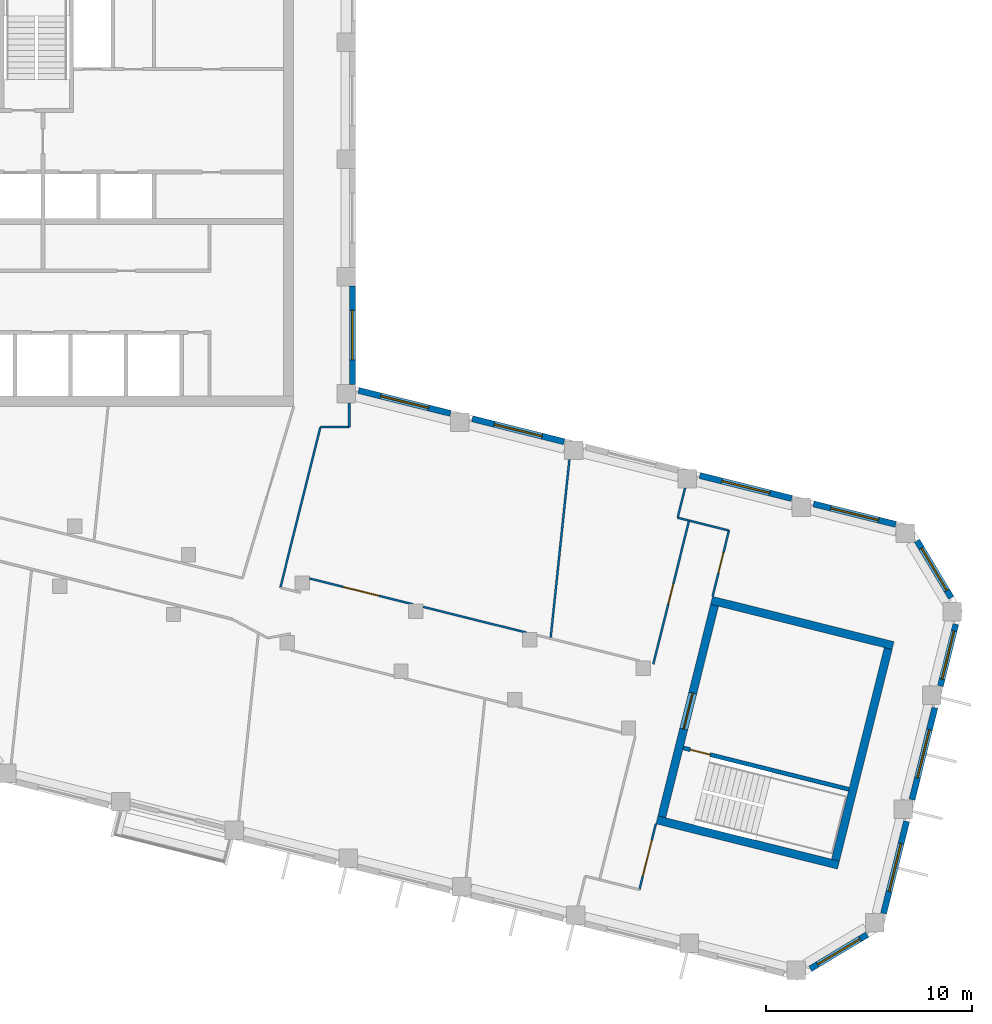
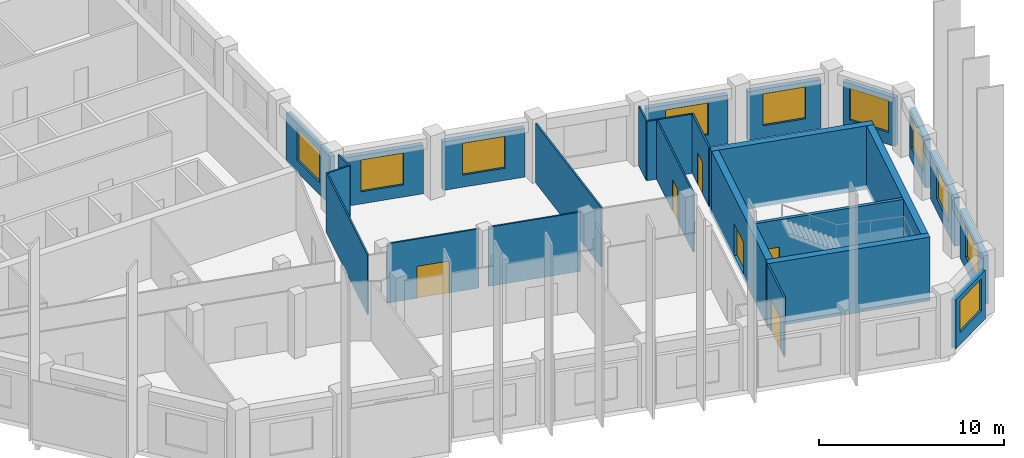
# One storey, part 4 of 8: 27 walls, 10 windows, 6 doors, 16 openings.
"""IFC4 building model written with IfcOpenShell, lengths in metres."""

from ifc_helpers import new_model, si_unit, direction, frame, frame_2d, origin, place, context, subcontext, project, spatial, rectangle, extrude, material, layer, layer_set, type_object, element, fill, save


model = new_model("IFC4")

# Units and contexts
model_context = context("Model", 3, precision=1e-05, world=origin(), true_north=direction((0.0, 1.0)))
body_context = subcontext(model_context, "Body", "Model", "MODEL_VIEW")
ifc_project = project(units=[si_unit("LENGTHUNIT", "METRE"), si_unit("AREAUNIT", "SQUARE_METRE"), si_unit("VOLUMEUNIT", "CUBIC_METRE"), si_unit("PLANEANGLEUNIT", "RADIAN"), si_unit("MASSUNIT", "GRAM", prefix="KILO")], contexts=[model_context])

# Site, building, storey
site_placement = place(None, origin())
site = spatial("IfcSite", under=ifc_project, at=site_placement, CompositionType="ELEMENT")
building_placement = place(site_placement, origin())
building = spatial("IfcBuilding", under=site, at=building_placement, Name="Meshkara Civic Tower", CompositionType="ELEMENT")
storey_placement = place(building_placement, frame((0.0, 0.0, 387.60009765625)))
storey = spatial("IfcBuildingStorey", under=building, at=storey_placement, Name="L89", CompositionType="ELEMENT", Elevation=387.60009765625)

# Walls
ifc_material_1 = material(Name="Corridor wall 100")
ifc_layer_1 = layer(ifc_material_1, 0.10009765625)
ifc_layer_set_1 = layer_set([ifc_layer_1], Name="Corridor wall 100")
wall_type_1 = type_object("IfcWallType", Name="Corridor wall 100", PredefinedType="PARTITIONING", material=ifc_layer_set_1)
wall_1_placement = place(storey_placement, frame((30.14892578125, 5.2890625, 0.0), z_axis=(0.0, 0.0, 1.0), x_axis=(0.241978995789, 0.970281487815, 0.0)))
element("IfcWall", 1, at=wall_1_placement, inside=storey, type_object=wall_type_1, Name="L89-W020", PredefinedType="PARTITIONING", context=body_context, shape_type="SweptSolid", body=[
    extrude(rectangle(XDim=8.05029296875, YDim=0.10009765625, at=frame_2d((4.025146484375, 0.0))), origin(), (0.0, 0.0, 1.0), 3.89990234375),
])
wall_2_placement = place(storey_placement, frame((32.096923828125, 13.10009765625, 0.0), z_axis=(0.0, 0.0, 1.0), x_axis=(1.0, 0.0, 0.0)))
element("IfcWall", 2, at=wall_2_placement, inside=storey, type_object=wall_type_1, Name="L89-W025", PredefinedType="PARTITIONING", context=body_context, shape_type="SweptSolid", body=[
    extrude(rectangle(XDim=1.403076171875, YDim=0.10009765625, at=frame_2d((0.70166015625, 0.0))), origin(), (0.0, 0.0, 1.0), 3.89990234375),
])
wall_3_placement = place(storey_placement, frame((33.5, 13.10009765625, 0.0), z_axis=(0.0, 0.0, 1.0), x_axis=(0.0, 1.0, 0.0)))
element("IfcWall", 3, at=wall_3_placement, inside=storey, type_object=wall_type_1, Name="L89-W026", PredefinedType="PARTITIONING", context=body_context, shape_type="SweptSolid", body=[
    extrude(rectangle(XDim=1.1689453125, YDim=0.10009765625, at=frame_2d((0.58447265625, 0.0))), origin(), (0.0, 0.0, 1.0), 3.89990234375),
])

# Wall, opening, door
wall_4_placement = place(storey_placement, frame((36.577880859375, 4.48388671875, 0.0), z_axis=(0.0, 0.0, 1.0), x_axis=(-0.97027844575, 0.241991193463, 0.0)))
wall_4 = element("IfcWall", 4, at=wall_4_placement, inside=storey, type_object=wall_type_1, Name="L89-W028", PredefinedType="PARTITIONING", context=body_context, shape_type="SweptSolid", body=[
    extrude(rectangle(XDim=5.17041015625, YDim=0.10009765625, at=frame_2d((2.585205078125, 0.0))), origin(), (0.0, 0.0, 1.0), 3.89990234375),
])
opening_1_placement = place(wall_4_placement, frame((1.679931640625, 0.0, 0.0)))
opening_1 = element("IfcOpeningElement", 5, at=opening_1_placement, cuts=wall_4, Name="Opening L89-D004", PredefinedType="OPENING", context=body_context, shape_type="SweptSolid", body=[
    extrude(rectangle(XDim=1.800048828125, YDim=2.10009765625, at=frame_2d((0.89990234375, 1.050048828125))), frame((0.0, 0.06005859375, 0.0), z_axis=(0.0, -1.0, 0.0), x_axis=(1.0, 0.0, 0.0)), (0.0, 0.0, 1.0), 0.1201171875),
])
ifc_material_2 = material(Name="Door pair 1800 x 2100")
door_type_1 = type_object("IfcDoorType", Name="Door pair 1800 x 2100", OperationType="SINGLE_SWING_LEFT", PredefinedType="DOOR", material=ifc_material_2)
door_1_placement = place(opening_1_placement, origin())
door_1 = element("IfcDoor", 6, at=door_1_placement, inside=storey, type_object=door_type_1, Name="L89-D004", OperationType="DOUBLE_DOOR_SINGLE_SWING", OverallHeight=2.10009765625, OverallWidth=1.800048828125, PredefinedType="DOOR", context=body_context, shape_type="SweptSolid", body=[
    extrude(rectangle(XDim=1.800048828125, YDim=2.10009765625, at=frame_2d((0.89990234375, 1.050048828125))), frame((0.0, 0.02490234375, 0.0), z_axis=(0.0, -1.0, 0.0), x_axis=(1.0, 0.0, 0.0)), (0.0, 0.0, 1.0), 0.050048828125),
])
fill(opening_1, door_1)

# Wall
wall_5_placement = place(storey_placement, frame((42.110107421875, 3.10498046875, 0.0), z_axis=(0.0, 0.0, 1.0), x_axis=(-0.970303347181, 0.241891327769, 0.0)))
element("IfcWall", 7, at=wall_5_placement, inside=storey, type_object=wall_type_1, Name="L89-W030", PredefinedType="PARTITIONING", context=body_context, shape_type="SweptSolid", body=[
    extrude(rectangle(XDim=5.171630859375, YDim=0.10009765625, at=frame_2d((2.5859375, 0.0))), origin(), (0.0, 0.0, 1.0), 3.89990234375),
])

# Wall, opening, door
wall_6_placement = place(storey_placement, frame((47.611083984375, -9.39697265625, 0.0), z_axis=(0.0, 0.0, 1.0), x_axis=(0.241786986316, 0.970329352977, 0.0)))
wall_6 = element("IfcWall", 8, at=wall_6_placement, inside=storey, type_object=wall_type_1, Name="L89-W034", PredefinedType="PARTITIONING", context=body_context, shape_type="SweptSolid", body=[
    extrude(rectangle(XDim=3.2998046875, YDim=0.10009765625, at=frame_2d((1.64990234375, 0.0))), origin(), (0.0, 0.0, 1.0), 3.89990234375),
])
opening_2_placement = place(wall_6_placement, frame((0.679931640625, 0.0, 0.0)))
opening_2 = element("IfcOpeningElement", 9, at=opening_2_placement, cuts=wall_6, Name="Opening L89-D001", PredefinedType="OPENING", context=body_context, shape_type="SweptSolid", body=[
    extrude(rectangle(XDim=1.800048828125, YDim=2.10009765625, at=frame_2d((0.89990234375, 1.050048828125))), frame((0.0, 0.06005859375, 0.0), z_axis=(0.0, -1.0, 0.0), x_axis=(1.0, 0.0, 0.0)), (0.0, 0.0, 1.0), 0.1201171875),
])
door_2_placement = place(opening_2_placement, origin())
door_2 = element("IfcDoor", 10, at=door_2_placement, inside=storey, type_object=door_type_1, Name="L89-D001", OperationType="DOUBLE_DOOR_SINGLE_SWING", OverallHeight=2.10009765625, OverallWidth=1.800048828125, PredefinedType="DOOR", context=body_context, shape_type="SweptSolid", body=[
    extrude(rectangle(XDim=1.800048828125, YDim=2.10009765625, at=frame_2d((0.89990234375, 1.050048828125))), frame((0.0, 0.02490234375, 0.0), z_axis=(0.0, -1.0, 0.0), x_axis=(1.0, 0.0, 0.0)), (0.0, 0.0, 1.0), 0.050048828125),
])
fill(opening_2, door_2)

wall_7_placement = place(storey_placement, frame((50.02490234375, 8.552001953125, 0.0), z_axis=(0.0, 0.0, 1.0), x_axis=(-0.241937193493, -0.970291911955, 0.0)))
wall_7 = element("IfcWall", 11, at=wall_7_placement, inside=storey, type_object=wall_type_1, Name="L89-W035", PredefinedType="PARTITIONING", context=body_context, shape_type="SweptSolid", body=[
    extrude(rectangle(XDim=7.199951171875, YDim=0.10009765625, at=frame_2d((3.60009765625, 0.0))), origin(), (0.0, 0.0, 1.0), 3.89990234375),
])
opening_3_placement = place(wall_7_placement, frame((3.179931640625, 0.0, 0.0)))
opening_3 = element("IfcOpeningElement", 12, at=opening_3_placement, cuts=wall_7, Name="Opening L89-D006", PredefinedType="OPENING", context=body_context, shape_type="SweptSolid", body=[
    extrude(rectangle(XDim=1.0, YDim=2.10009765625, at=frame_2d((0.5, 1.050048828125))), frame((0.0, 0.06005859375, 0.0), z_axis=(0.0, -1.0, 0.0), x_axis=(1.0, 0.0, 0.0)), (0.0, 0.0, 1.0), 0.1201171875),
])
ifc_material_3 = material(Name="Door 1000 x 2100")
door_type_2 = type_object("IfcDoorType", Name="Door 1000 x 2100", OperationType="SINGLE_SWING_LEFT", PredefinedType="DOOR", material=ifc_material_3)
door_3_placement = place(opening_3_placement, origin())
door_3 = element("IfcDoor", 13, at=door_3_placement, inside=storey, type_object=door_type_2, Name="L89-D006", OperationType="SINGLE_SWING_LEFT", OverallHeight=2.10009765625, OverallWidth=1.0, PredefinedType="DOOR", context=body_context, shape_type="SweptSolid", body=[
    extrude(rectangle(XDim=1.0, YDim=2.10009765625, at=frame_2d((0.5, 1.050048828125))), frame((0.0, 0.02490234375, 0.0), z_axis=(0.0, -1.0, 0.0), x_axis=(1.0, 0.0, 0.0)), (0.0, 0.0, 1.0), 0.050048828125),
])
fill(opening_3, door_3)

wall_8_placement = place(storey_placement, frame((51.1669921875, 4.865966796875, 0.0), z_axis=(0.0, 0.0, 1.0), x_axis=(0.241839284064, 0.97031631991, 0.0)))
wall_8 = element("IfcWall", 14, at=wall_8_placement, inside=storey, type_object=wall_type_1, Name="L89-W036", PredefinedType="PARTITIONING", context=body_context, shape_type="SweptSolid", body=[
    extrude(rectangle(XDim=3.300048828125, YDim=0.10009765625, at=frame_2d((1.64990234375, 0.0))), origin(), (0.0, 0.0, 1.0), 3.89990234375),
])
opening_4_placement = place(wall_8_placement, frame((1.179931640625, 0.0, 0.0)))
opening_4 = element("IfcOpeningElement", 15, at=opening_4_placement, cuts=wall_8, Name="Opening L89-D009", PredefinedType="OPENING", context=body_context, shape_type="SweptSolid", body=[
    extrude(rectangle(XDim=1.0, YDim=2.10009765625, at=frame_2d((0.5, 1.050048828125))), frame((0.0, 0.06005859375, 0.0), z_axis=(0.0, -1.0, 0.0), x_axis=(1.0, 0.0, 0.0)), (0.0, 0.0, 1.0), 0.1201171875),
])
door_4_placement = place(opening_4_placement, origin())
door_4 = element("IfcDoor", 16, at=door_4_placement, inside=storey, type_object=door_type_2, Name="L89-D009", OperationType="SINGLE_SWING_LEFT", OverallHeight=2.10009765625, OverallWidth=1.0, PredefinedType="DOOR", context=body_context, shape_type="SweptSolid", body=[
    extrude(rectangle(XDim=1.0, YDim=2.10009765625, at=frame_2d((0.5, 1.050048828125))), frame((0.0, 0.02490234375, 0.0), z_axis=(0.0, -1.0, 0.0), x_axis=(1.0, 0.0, 0.0)), (0.0, 0.0, 1.0), 0.050048828125),
])
fill(opening_4, door_4)

# Wall
wall_9_placement = place(storey_placement, frame((51.965087890625, 8.068115234375, 0.0), z_axis=(0.0, 0.0, 1.0), x_axis=(-0.970278804284, 0.241989755894, 0.0)))
element("IfcWall", 17, at=wall_9_placement, inside=storey, type_object=wall_type_1, Name="L89-W037", PredefinedType="PARTITIONING", context=body_context, shape_type="SweptSolid", body=[
    extrude(rectangle(XDim=1.99951171875, YDim=0.10009765625, at=frame_2d((0.999755859375, 0.0))), origin(), (0.0, 0.0, 1.0), 3.89990234375),
])

# Wall, opening, window
ifc_material_4 = material(Name="Insulated infill panel with bronze anodised aluminium cladding", Category="aluminium")
ifc_layer_2 = layer(ifc_material_4, 0.300048828125)
ifc_layer_set_2 = layer_set([ifc_layer_2], Name="EXTERNAL INFILL WALL 300")
wall_type_2 = type_object("IfcWallType", Name="EXTERNAL INFILL WALL 300", PredefinedType="SOLIDWALL", material=ifc_layer_set_2)
wall_10_placement = place(storey_placement, frame((60.075927734375, 8.364990234375, 0.0), z_axis=(0.0, 0.0, 1.0), x_axis=(-0.970323340708, 0.24181111322, 0.0)))
wall_10 = element("IfcWall", 18, at=wall_10_placement, inside=storey, type_object=wall_type_2, Name="External wall", PredefinedType="SOLIDWALL", context=body_context, shape_type="SweptSolid", body=[
    extrude(rectangle(XDim=4.123291015625, YDim=0.300048828125, at=frame_2d((2.0615234375, 0.0))), origin(), (0.0, 0.0, 1.0), 3.199951171875),
])
opening_5_placement = place(wall_10_placement, frame((0.862060546875, 0.0, 0.800048828125)))
opening_5 = element("IfcOpeningElement", 19, at=opening_5_placement, cuts=wall_10, Name="Opening W7", PredefinedType="OPENING", context=body_context, shape_type="SweptSolid", body=[
    extrude(rectangle(XDim=2.39990234375, YDim=2.10009765625, at=frame_2d((1.199951171875, 1.050048828125))), frame((0.0, 0.159912109375, 0.0), z_axis=(0.0, -1.0, 0.0), x_axis=(1.0, 0.0, 0.0)), (0.0, 0.0, 1.0), 0.320068359375),
])
ifc_material_5 = material(Name="Tinted double glazing", Category="glass")
window_type = type_object("IfcWindowType", Name="WINDOW 2400x2100", PartitioningType="DOUBLE_PANEL_VERTICAL", PredefinedType="WINDOW", material=ifc_material_5)
window_1_placement = place(opening_5_placement, origin())
window_1 = element("IfcWindow", 20, at=window_1_placement, inside=storey, type_object=window_type, Name="Window", OverallHeight=2.10009765625, OverallWidth=2.39990234375, PartitioningType="DOUBLE_PANEL_VERTICAL", PredefinedType="WINDOW", context=body_context, shape_type="SweptSolid", body=[
    extrude(rectangle(XDim=2.39990234375, YDim=2.10009765625, at=frame_2d((1.199951171875, 1.050048828125))), frame((0.0, 0.030029296875, 0.0), z_axis=(0.0, -1.0, 0.0), x_axis=(1.0, 0.0, 0.0)), (0.0, 0.0, 1.0), 0.06005859375),
])
fill(opening_5, window_1)

wall_11_placement = place(storey_placement, frame((55.01611328125, 9.6259765625, 0.0), z_axis=(0.0, 0.0, 1.0), x_axis=(-0.970298093093, 0.241912402618, 0.0)))
wall_11 = element("IfcWall", 21, at=wall_11_placement, inside=storey, type_object=wall_type_2, Name="External wall", PredefinedType="SOLIDWALL", context=body_context, shape_type="SweptSolid", body=[
    extrude(rectangle(XDim=4.609130859375, YDim=0.300048828125, at=frame_2d((2.3046875, 0.0))), origin(), (0.0, 0.0, 1.0), 3.199951171875),
])
opening_6_placement = place(wall_11_placement, frame((1.10498046875, 0.0, 0.800048828125)))
opening_6 = element("IfcOpeningElement", 22, at=opening_6_placement, cuts=wall_11, Name="Opening W7", PredefinedType="OPENING", context=body_context, shape_type="SweptSolid", body=[
    extrude(rectangle(XDim=2.39990234375, YDim=2.10009765625, at=frame_2d((1.199951171875, 1.050048828125))), frame((0.0, 0.159912109375, 0.0), z_axis=(0.0, -1.0, 0.0), x_axis=(1.0, 0.0, 0.0)), (0.0, 0.0, 1.0), 0.320068359375),
])
window_2_placement = place(opening_6_placement, origin())
window_2 = element("IfcWindow", 23, at=window_2_placement, inside=storey, type_object=window_type, Name="Window", OverallHeight=2.10009765625, OverallWidth=2.39990234375, PartitioningType="DOUBLE_PANEL_VERTICAL", PredefinedType="WINDOW", context=body_context, shape_type="SweptSolid", body=[
    extrude(rectangle(XDim=2.39990234375, YDim=2.10009765625, at=frame_2d((1.199951171875, 1.050048828125))), frame((0.0, 0.030029296875, 0.0), z_axis=(0.0, -1.0, 0.0), x_axis=(1.0, 0.0, 0.0)), (0.0, 0.0, 1.0), 0.06005859375),
])
fill(opening_6, window_2)

wall_12_placement = place(storey_placement, frame((43.9541015625, 12.384033203125, 0.0), z_axis=(0.0, 0.0, 1.0), x_axis=(-0.970285689791, 0.241962146187, 0.0)))
wall_12 = element("IfcWall", 24, at=wall_12_placement, inside=storey, type_object=wall_type_2, Name="External wall", PredefinedType="SOLIDWALL", context=body_context, shape_type="SweptSolid", body=[
    extrude(rectangle(XDim=4.608154296875, YDim=0.300048828125, at=frame_2d((2.30419921875, 0.0))), origin(), (0.0, 0.0, 1.0), 3.199951171875),
])
opening_7_placement = place(wall_12_placement, frame((1.10400390625, 0.0, 0.800048828125)))
opening_7 = element("IfcOpeningElement", 25, at=opening_7_placement, cuts=wall_12, Name="Opening W7", PredefinedType="OPENING", context=body_context, shape_type="SweptSolid", body=[
    extrude(rectangle(XDim=2.39990234375, YDim=2.10009765625, at=frame_2d((1.199951171875, 1.050048828125))), frame((0.0, 0.159912109375, 0.0), z_axis=(0.0, -1.0, 0.0), x_axis=(1.0, 0.0, 0.0)), (0.0, 0.0, 1.0), 0.320068359375),
])
window_3_placement = place(opening_7_placement, origin())
window_3 = element("IfcWindow", 26, at=window_3_placement, inside=storey, type_object=window_type, Name="Window", OverallHeight=2.10009765625, OverallWidth=2.39990234375, PartitioningType="DOUBLE_PANEL_VERTICAL", PredefinedType="WINDOW", context=body_context, shape_type="SweptSolid", body=[
    extrude(rectangle(XDim=2.39990234375, YDim=2.10009765625, at=frame_2d((1.199951171875, 1.050048828125))), frame((0.0, 0.030029296875, 0.0), z_axis=(0.0, -1.0, 0.0), x_axis=(1.0, 0.0, 0.0)), (0.0, 0.0, 1.0), 0.06005859375),
])
fill(opening_7, window_3)

wall_13_placement = place(storey_placement, frame((38.424072265625, 13.762939453125, 0.0), z_axis=(0.0, 0.0, 1.0), x_axis=(-0.970248341479, 0.24211186641, 0.0)))
wall_13 = element("IfcWall", 27, at=wall_13_placement, inside=storey, type_object=wall_type_2, Name="External wall", PredefinedType="SOLIDWALL", context=body_context, shape_type="SweptSolid", body=[
    extrude(rectangle(XDim=4.609375, YDim=0.300048828125, at=frame_2d((2.3046875, 0.0))), origin(), (0.0, 0.0, 1.0), 3.199951171875),
])
opening_8_placement = place(wall_13_placement, frame((1.10498046875, 0.0, 0.800048828125)))
opening_8 = element("IfcOpeningElement", 28, at=opening_8_placement, cuts=wall_13, Name="Opening W7", PredefinedType="OPENING", context=body_context, shape_type="SweptSolid", body=[
    extrude(rectangle(XDim=2.39990234375, YDim=2.10009765625, at=frame_2d((1.199951171875, 1.050048828125))), frame((0.0, 0.159912109375, 0.0), z_axis=(0.0, -1.0, 0.0), x_axis=(1.0, 0.0, 0.0)), (0.0, 0.0, 1.0), 0.320068359375),
])
window_4_placement = place(opening_8_placement, origin())
window_4 = element("IfcWindow", 29, at=window_4_placement, inside=storey, type_object=window_type, Name="Window", OverallHeight=2.10009765625, OverallWidth=2.39990234375, PartitioningType="DOUBLE_PANEL_VERTICAL", PredefinedType="WINDOW", context=body_context, shape_type="SweptSolid", body=[
    extrude(rectangle(XDim=2.39990234375, YDim=2.10009765625, at=frame_2d((1.199951171875, 1.050048828125))), frame((0.0, 0.030029296875, 0.0), z_axis=(0.0, -1.0, 0.0), x_axis=(1.0, 0.0, 0.0)), (0.0, 0.0, 1.0), 0.06005859375),
])
fill(opening_8, window_4)

wall_14_placement = place(storey_placement, frame((33.64990234375, 15.1689453125, 0.0), z_axis=(0.0, 0.0, 1.0), x_axis=(0.0, 1.0, 0.0)))
wall_14 = element("IfcWall", 30, at=wall_14_placement, inside=storey, type_object=wall_type_2, Name="External wall", PredefinedType="SOLIDWALL", context=body_context, shape_type="SweptSolid", body=[
    extrude(rectangle(XDim=4.800048828125, YDim=0.300048828125, at=frame_2d((2.39990234375, 0.0))), origin(), (0.0, 0.0, 1.0), 3.199951171875),
])
opening_9_placement = place(wall_14_placement, frame((1.199951171875, 0.0, 0.800048828125)))
opening_9 = element("IfcOpeningElement", 31, at=opening_9_placement, cuts=wall_14, Name="Opening W7", PredefinedType="OPENING", context=body_context, shape_type="SweptSolid", body=[
    extrude(rectangle(XDim=2.39990234375, YDim=2.10009765625, at=frame_2d((1.199951171875, 1.050048828125))), frame((0.0, 0.159912109375, 0.0), z_axis=(0.0, -1.0, 0.0), x_axis=(1.0, 0.0, 0.0)), (0.0, 0.0, 1.0), 0.320068359375),
])
window_5_placement = place(opening_9_placement, origin())
window_5 = element("IfcWindow", 32, at=window_5_placement, inside=storey, type_object=window_type, Name="Window", OverallHeight=2.10009765625, OverallWidth=2.39990234375, PartitioningType="DOUBLE_PANEL_VERTICAL", PredefinedType="WINDOW", context=body_context, shape_type="SweptSolid", body=[
    extrude(rectangle(XDim=2.39990234375, YDim=2.10009765625, at=frame_2d((1.199951171875, 1.050048828125))), frame((0.0, 0.030029296875, 0.0), z_axis=(0.0, -1.0, 0.0), x_axis=(1.0, 0.0, 0.0)), (0.0, 0.0, 1.0), 0.06005859375),
])
fill(opening_9, window_5)

wall_15_placement = place(storey_placement, frame((55.9189453125, -13.2470703125, 0.0), z_axis=(0.0, 0.0, 1.0), x_axis=(0.857239224167, 0.514918355226, 0.0)))
wall_15 = element("IfcWall", 33, at=wall_15_placement, inside=storey, type_object=wall_type_2, Name="External wall", PredefinedType="SOLIDWALL", context=body_context, shape_type="SweptSolid", body=[
    extrude(rectangle(XDim=3.22802734375, YDim=0.300048828125, at=frame_2d((1.614013671875, 0.0))), origin(), (0.0, 0.0, 1.0), 3.199951171875),
])
opening_10_placement = place(wall_15_placement, frame((0.4140625, 0.0, 0.800048828125)))
opening_10 = element("IfcOpeningElement", 34, at=opening_10_placement, cuts=wall_15, Name="Opening W7", PredefinedType="OPENING", context=body_context, shape_type="SweptSolid", body=[
    extrude(rectangle(XDim=2.39990234375, YDim=2.10009765625, at=frame_2d((1.199951171875, 1.050048828125))), frame((0.0, 0.159912109375, 0.0), z_axis=(0.0, -1.0, 0.0), x_axis=(1.0, 0.0, 0.0)), (0.0, 0.0, 1.0), 0.320068359375),
])
window_6_placement = place(opening_10_placement, origin())
window_6 = element("IfcWindow", 35, at=window_6_placement, inside=storey, type_object=window_type, Name="Window", OverallHeight=2.10009765625, OverallWidth=2.39990234375, PartitioningType="DOUBLE_PANEL_VERTICAL", PredefinedType="WINDOW", context=body_context, shape_type="SweptSolid", body=[
    extrude(rectangle(XDim=2.39990234375, YDim=2.10009765625, at=frame_2d((1.199951171875, 1.050048828125))), frame((0.0, 0.030029296875, 0.0), z_axis=(0.0, -1.0, 0.0), x_axis=(1.0, 0.0, 0.0)), (0.0, 0.0, 1.0), 0.06005859375),
])
fill(opening_10, window_6)

wall_16_placement = place(storey_placement, frame((59.485107421875, -10.552001953125, 0.0), z_axis=(0.0, 0.0, 1.0), x_axis=(0.241924836652, 0.970294992984, 0.0)))
wall_16 = element("IfcWall", 36, at=wall_16_placement, inside=storey, type_object=wall_type_2, Name="External wall", PredefinedType="SOLIDWALL", context=body_context, shape_type="SweptSolid", body=[
    extrude(rectangle(XDim=4.60888671875, YDim=0.300048828125, at=frame_2d((2.304443359375, 0.0))), origin(), (0.0, 0.0, 1.0), 3.199951171875),
])
opening_11_placement = place(wall_16_placement, frame((1.10498046875, 0.0, 0.800048828125)))
opening_11 = element("IfcOpeningElement", 37, at=opening_11_placement, cuts=wall_16, Name="Opening W7", PredefinedType="OPENING", context=body_context, shape_type="SweptSolid", body=[
    extrude(rectangle(XDim=2.39990234375, YDim=2.10009765625, at=frame_2d((1.199951171875, 1.050048828125))), frame((0.0, 0.159912109375, 0.0), z_axis=(0.0, -1.0, 0.0), x_axis=(1.0, 0.0, 0.0)), (0.0, 0.0, 1.0), 0.320068359375),
])
window_7_placement = place(opening_11_placement, origin())
window_7 = element("IfcWindow", 38, at=window_7_placement, inside=storey, type_object=window_type, Name="Window", OverallHeight=2.10009765625, OverallWidth=2.39990234375, PartitioningType="DOUBLE_PANEL_VERTICAL", PredefinedType="WINDOW", context=body_context, shape_type="SweptSolid", body=[
    extrude(rectangle(XDim=2.39990234375, YDim=2.10009765625, at=frame_2d((1.199951171875, 1.050048828125))), frame((0.0, 0.030029296875, 0.0), z_axis=(0.0, -1.0, 0.0), x_axis=(1.0, 0.0, 0.0)), (0.0, 0.0, 1.0), 0.06005859375),
])
fill(opening_11, window_7)

wall_17_placement = place(storey_placement, frame((60.864013671875, -5.02099609375, 0.0), z_axis=(0.0, 0.0, 1.0), x_axis=(0.241775045801, 0.97033232824, 0.0)))
wall_17 = element("IfcWall", 39, at=wall_17_placement, inside=storey, type_object=wall_type_2, Name="External wall", PredefinedType="SOLIDWALL", context=body_context, shape_type="SweptSolid", body=[
    extrude(rectangle(XDim=4.607666015625, YDim=0.300048828125, at=frame_2d((2.3037109375, 0.0))), origin(), (0.0, 0.0, 1.0), 3.199951171875),
])
opening_12_placement = place(wall_17_placement, frame((1.10400390625, 0.0, 0.800048828125)))
opening_12 = element("IfcOpeningElement", 40, at=opening_12_placement, cuts=wall_17, Name="Opening W7", PredefinedType="OPENING", context=body_context, shape_type="SweptSolid", body=[
    extrude(rectangle(XDim=2.39990234375, YDim=2.10009765625, at=frame_2d((1.199951171875, 1.050048828125))), frame((0.0, 0.159912109375, 0.0), z_axis=(0.0, -1.0, 0.0), x_axis=(1.0, 0.0, 0.0)), (0.0, 0.0, 1.0), 0.320068359375),
])
window_8_placement = place(opening_12_placement, origin())
window_8 = element("IfcWindow", 41, at=window_8_placement, inside=storey, type_object=window_type, Name="Window", OverallHeight=2.10009765625, OverallWidth=2.39990234375, PartitioningType="DOUBLE_PANEL_VERTICAL", PredefinedType="WINDOW", context=body_context, shape_type="SweptSolid", body=[
    extrude(rectangle(XDim=2.39990234375, YDim=2.10009765625, at=frame_2d((1.199951171875, 1.050048828125))), frame((0.0, 0.030029296875, 0.0), z_axis=(0.0, -1.0, 0.0), x_axis=(1.0, 0.0, 0.0)), (0.0, 0.0, 1.0), 0.06005859375),
])
fill(opening_12, window_8)

wall_18_placement = place(storey_placement, frame((62.241943359375, 0.509033203125, 0.0), z_axis=(0.0, 0.0, 1.0), x_axis=(0.241941811838, 0.970290760383, 0.0)))
wall_18 = element("IfcWall", 42, at=wall_18_placement, inside=storey, type_object=wall_type_2, Name="External wall", PredefinedType="SOLIDWALL", context=body_context, shape_type="SweptSolid", body=[
    extrude(rectangle(XDim=3.095947265625, YDim=0.300048828125, at=frame_2d((1.5478515625, 0.0))), origin(), (0.0, 0.0, 1.0), 3.199951171875),
])
opening_13_placement = place(wall_18_placement, frame((0.347900390625, 0.0, 0.800048828125)))
opening_13 = element("IfcOpeningElement", 43, at=opening_13_placement, cuts=wall_18, Name="Opening W7", PredefinedType="OPENING", context=body_context, shape_type="SweptSolid", body=[
    extrude(rectangle(XDim=2.39990234375, YDim=2.10009765625, at=frame_2d((1.199951171875, 1.050048828125))), frame((0.0, 0.159912109375, 0.0), z_axis=(0.0, -1.0, 0.0), x_axis=(1.0, 0.0, 0.0)), (0.0, 0.0, 1.0), 0.320068359375),
])
window_9_placement = place(opening_13_placement, origin())
window_9 = element("IfcWindow", 44, at=window_9_placement, inside=storey, type_object=window_type, Name="Window", OverallHeight=2.10009765625, OverallWidth=2.39990234375, PartitioningType="DOUBLE_PANEL_VERTICAL", PredefinedType="WINDOW", context=body_context, shape_type="SweptSolid", body=[
    extrude(rectangle(XDim=2.39990234375, YDim=2.10009765625, at=frame_2d((1.199951171875, 1.050048828125))), frame((0.0, 0.030029296875, 0.0), z_axis=(0.0, -1.0, 0.0), x_axis=(1.0, 0.0, 0.0)), (0.0, 0.0, 1.0), 0.06005859375),
])
fill(opening_13, window_9)

wall_19_placement = place(storey_placement, frame((62.77099609375, 4.799072265625, 0.0), z_axis=(0.0, 0.0, 1.0), x_axis=(-0.514951742604, 0.857219168468, 0.0)))
wall_19 = element("IfcWall", 45, at=wall_19_placement, inside=storey, type_object=wall_type_2, Name="External wall", PredefinedType="SOLIDWALL", context=body_context, shape_type="SweptSolid", body=[
    extrude(rectangle(XDim=3.227783203125, YDim=0.300048828125, at=frame_2d((1.61376953125, 0.0))), origin(), (0.0, 0.0, 1.0), 3.199951171875),
])
opening_14_placement = place(wall_19_placement, frame((0.4140625, 0.0, 0.800048828125)))
opening_14 = element("IfcOpeningElement", 46, at=opening_14_placement, cuts=wall_19, Name="Opening W7", PredefinedType="OPENING", context=body_context, shape_type="SweptSolid", body=[
    extrude(rectangle(XDim=2.39990234375, YDim=2.10009765625, at=frame_2d((1.199951171875, 1.050048828125))), frame((0.0, 0.159912109375, 0.0), z_axis=(0.0, -1.0, 0.0), x_axis=(1.0, 0.0, 0.0)), (0.0, 0.0, 1.0), 0.320068359375),
])
window_10_placement = place(opening_14_placement, origin())
window_10 = element("IfcWindow", 47, at=window_10_placement, inside=storey, type_object=window_type, Name="Window", OverallHeight=2.10009765625, OverallWidth=2.39990234375, PartitioningType="DOUBLE_PANEL_VERTICAL", PredefinedType="WINDOW", context=body_context, shape_type="SweptSolid", body=[
    extrude(rectangle(XDim=2.39990234375, YDim=2.10009765625, at=frame_2d((1.199951171875, 1.050048828125))), frame((0.0, 0.030029296875, 0.0), z_axis=(0.0, -1.0, 0.0), x_axis=(1.0, 0.0, 0.0)), (0.0, 0.0, 1.0), 0.06005859375),
])
fill(opening_14, window_10)

# Walls
ifc_material_6 = material(Name="Concrete C50", Category="concrete")
ifc_layer_3 = layer(ifc_material_6, 0.39990234375)
ifc_layer_set_3 = layer_set([ifc_layer_3], Name="End core ring wall 400 C50")
wall_type_3 = type_object("IfcWallType", Name="End core ring wall 400 C50", PredefinedType="SHEAR", material=ifc_layer_set_3)
wall_20_placement = place(storey_placement, frame((48.4580078125, -6.0009765625, -0.300048828125), z_axis=(0.0, 0.0, 1.0), x_axis=(0.970281225948, -0.241980045814, 0.0)))
element("IfcWall", 48, at=wall_20_placement, inside=storey, type_object=wall_type_3, Name="L89-C032", PredefinedType="SHEAR", context=body_context, shape_type="SweptSolid", body=[
    extrude(rectangle(XDim=9.099609375, YDim=0.39990234375, at=frame_2d((4.5498046875, 0.0))), origin(), (0.0, 0.0, 1.0), 4.199951171875),
])
wall_21_placement = place(storey_placement, frame((51.118896484375, 4.672119140625, -0.300048828125), z_axis=(0.0, 0.0, 1.0), x_axis=(0.970300121521, -0.241904266553, 0.0)))
element("IfcWall", 49, at=wall_21_placement, inside=storey, type_object=wall_type_3, Name="L89-C033", PredefinedType="SHEAR", context=body_context, shape_type="SweptSolid", body=[
    extrude(rectangle(XDim=9.099365234375, YDim=0.39990234375, at=frame_2d((4.5498046875, 0.0))), origin(), (0.0, 0.0, 1.0), 4.199951171875),
])

# Wall, opening, door
wall_22_placement = place(storey_placement, frame((48.699951171875, -5.85595703125, -0.300048828125), z_axis=(0.0, 0.0, 1.0), x_axis=(0.241869030534, 0.970308905488, 0.0)))
wall_22 = element("IfcWall", 50, at=wall_22_placement, inside=storey, type_object=wall_type_3, Name="L89-C034", PredefinedType="SHEAR", context=body_context, shape_type="SweptSolid", body=[
    extrude(rectangle(XDim=10.6005859375, YDim=0.39990234375, at=frame_2d((5.30029296875, 0.0))), origin(), (0.0, 0.0, 1.0), 4.199951171875),
])
opening_15_placement = place(wall_22_placement, frame((4.39990234375, 0.0, 0.300048828125)))
opening_15 = element("IfcOpeningElement", 51, at=opening_15_placement, cuts=wall_22, Name="Opening L89-K202", PredefinedType="OPENING", context=body_context, shape_type="SweptSolid", body=[
    extrude(rectangle(XDim=1.800048828125, YDim=2.10009765625, at=frame_2d((0.89990234375, 1.050048828125))), frame((0.0, 0.2099609375, 0.0), z_axis=(0.0, -1.0, 0.0), x_axis=(1.0, 0.0, 0.0)), (0.0, 0.0, 1.0), 0.419921875),
])
ifc_material_7 = material(Name="Fire-rated door leaf in steel frame", Category="steel")
door_type_3 = type_object("IfcDoorType", Name="Core double door 1800 EI 60", OperationType="DOUBLE_DOOR_SINGLE_SWING", PredefinedType="DOOR", material=ifc_material_7)
door_5_placement = place(opening_15_placement, origin())
door_5 = element("IfcDoor", 52, at=door_5_placement, inside=storey, type_object=door_type_3, Name="L89-K202", OperationType="DOUBLE_DOOR_SINGLE_SWING", OverallHeight=2.10009765625, OverallWidth=1.800048828125, PredefinedType="DOOR", context=body_context, shape_type="SweptSolid", body=[
    extrude(rectangle(XDim=1.800048828125, YDim=2.10009765625, at=frame_2d((0.89990234375, 1.050048828125))), frame((0.0, 0.02490234375, 0.0), z_axis=(0.0, -1.0, 0.0), x_axis=(1.0, 0.0, 0.0)), (0.0, 0.0, 1.0), 0.050048828125),
])
fill(opening_15, door_5)

# Walls
wall_23_placement = place(storey_placement, frame((57.14208984375, -7.9599609375, -0.300048828125), z_axis=(0.0, 0.0, 1.0), x_axis=(0.241890652548, 0.970303515509, 0.0)))
element("IfcWall", 53, at=wall_23_placement, inside=storey, type_object=wall_type_3, Name="L89-C035", PredefinedType="SHEAR", context=body_context, shape_type="SweptSolid", body=[
    extrude(rectangle(XDim=10.599609375, YDim=0.39990234375, at=frame_2d((5.2998046875, 0.0))), origin(), (0.0, 0.0, 1.0), 4.199951171875),
])
ifc_material_8 = material(Name="Partition 100")
ifc_layer_4 = layer(ifc_material_8, 0.10009765625)
ifc_layer_set_4 = layer_set([ifc_layer_4], Name="Partition 100")
wall_type_4 = type_object("IfcWallType", Name="Partition 100", PredefinedType="PARTITIONING", material=ifc_layer_set_4)
wall_24_placement = place(storey_placement, frame((43.294921875, 2.867919921875, 0.0), z_axis=(0.0, 0.0, 1.0), x_axis=(0.10461459275, 0.994512839024, 0.0)))
element("IfcWall", 54, at=wall_24_placement, inside=storey, type_object=wall_type_4, Name="L89-W049", PredefinedType="PARTITIONING", context=body_context, shape_type="SweptSolid", body=[
    extrude(rectangle(XDim=8.690673828125, YDim=0.10009765625, at=frame_2d((4.34521484375, 0.0))), origin(), (0.0, 0.0, 1.0), 3.89990234375),
])
wall_25_placement = place(storey_placement, frame((49.470947265625, 8.68994140625, 0.0), z_axis=(0.0, 0.0, 1.0), x_axis=(0.241646512959, 0.970364345375, 0.0)))
element("IfcWall", 55, at=wall_25_placement, inside=storey, type_object=wall_type_4, Name="L89-W052", PredefinedType="PARTITIONING", context=body_context, shape_type="SweptSolid", body=[
    extrude(rectangle(XDim=1.486083984375, YDim=0.10009765625, at=frame_2d((0.7431640625, 0.0))), origin(), (0.0, 0.0, 1.0), 3.89990234375),
])
wall_26_placement = place(storey_placement, frame((50.029052734375, 8.551025390625, 0.0), z_axis=(0.0, 0.0, 1.0), x_axis=(-0.970391687927, 0.241536688727, 0.0)))
element("IfcWall", 56, at=wall_26_placement, inside=storey, type_object=wall_type_4, Name="L89-W053", PredefinedType="PARTITIONING", context=body_context, shape_type="SweptSolid", body=[
    extrude(rectangle(XDim=0.5751953125, YDim=0.10009765625, at=frame_2d((0.28759765625, 0.0))), origin(), (0.0, 0.0, 1.0), 3.89990234375),
])

# Wall, opening, door
ifc_material_9 = material(Name="Concrete C40/50", Category="concrete")
ifc_layer_5 = layer(ifc_material_9, 0.199951171875)
ifc_layer_set_5 = layer_set([ifc_layer_5], Name="Stair enclosure wall 200 C40/50")
wall_type_5 = type_object("IfcWallType", Name="Stair enclosure wall 200 C40/50", PredefinedType="SOLIDWALL", material=ifc_layer_set_5)
wall_27_placement = place(storey_placement, frame((49.740966796875, -2.508056640625, 0.0), z_axis=(0.0, 0.0, 1.0), x_axis=(0.970289402158, -0.241947258837, 0.0)))
wall_27 = element("IfcWall", 57, at=wall_27_placement, inside=storey, type_object=wall_type_5, Name="L89-C036", PredefinedType="SOLIDWALL", context=body_context, shape_type="SweptSolid", body=[
    extrude(rectangle(XDim=8.299560546875, YDim=0.199951171875, at=frame_2d((4.14990234375, 0.0))), origin(), (0.0, 0.0, 1.0), 3.89990234375),
])
opening_16_placement = place(wall_27_placement, frame((0.35009765625, 0.0, 0.0)))
opening_16 = element("IfcOpeningElement", 58, at=opening_16_placement, cuts=wall_27, Name="Opening L89-K201", PredefinedType="OPENING", context=body_context, shape_type="SweptSolid", body=[
    extrude(rectangle(XDim=1.0, YDim=2.10009765625, at=frame_2d((0.5, 1.050048828125))), frame((0.0, 0.10986328125, 0.0), z_axis=(0.0, -1.0, 0.0), x_axis=(1.0, 0.0, 0.0)), (0.0, 0.0, 1.0), 0.219970703125),
])
ifc_material_10 = material(Name="Fire-rated door leaf in steel frame", Category="steel")
door_type_4 = type_object("IfcDoorType", Name="Stair door 1000 EI 120", OperationType="SINGLE_SWING_LEFT", PredefinedType="DOOR", material=ifc_material_10)
door_6_placement = place(opening_16_placement, origin())
door_6 = element("IfcDoor", 59, at=door_6_placement, inside=storey, type_object=door_type_4, Name="L89-K201", OperationType="SINGLE_SWING_LEFT", OverallHeight=2.10009765625, OverallWidth=1.0, PredefinedType="DOOR", context=body_context, shape_type="SweptSolid", body=[
    extrude(rectangle(XDim=1.0, YDim=2.10009765625, at=frame_2d((0.5, 1.050048828125))), frame((0.0, 0.02490234375, 0.0), z_axis=(0.0, -1.0, 0.0), x_axis=(1.0, 0.0, 0.0)), (0.0, 0.0, 1.0), 0.050048828125),
])
fill(opening_16, door_6)

save(model, "model.ifc")
